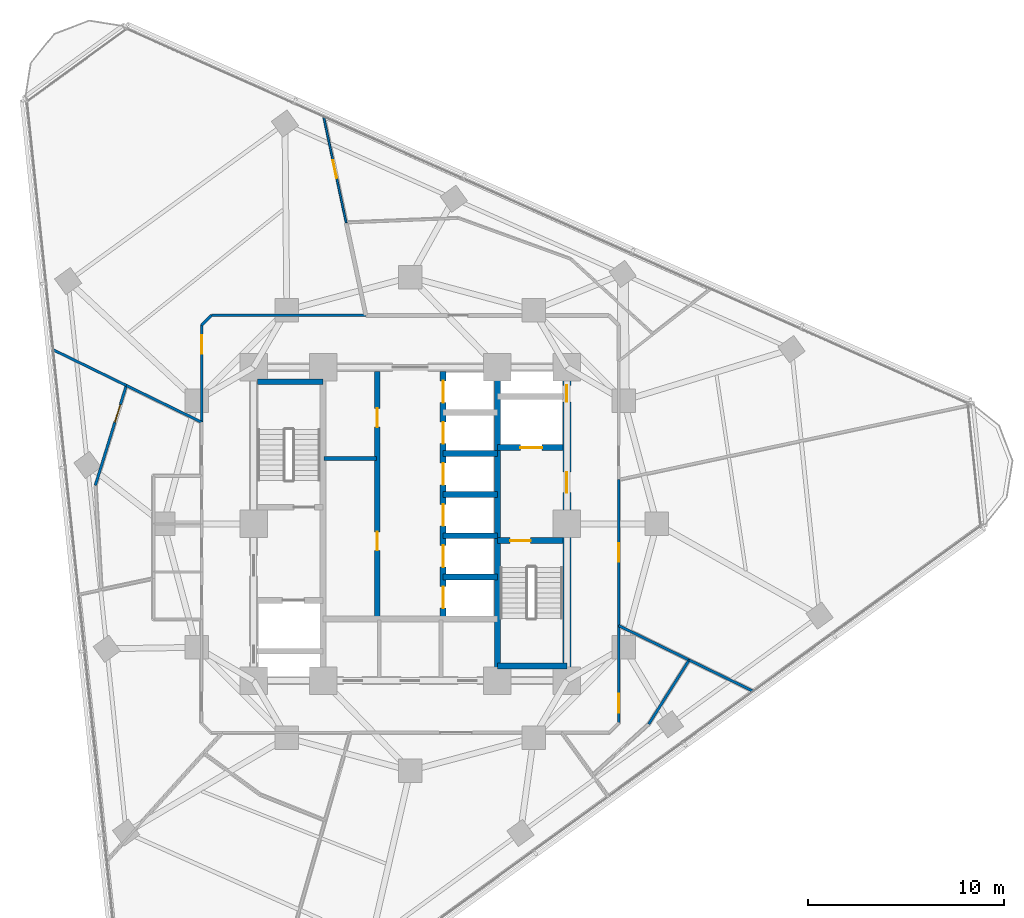
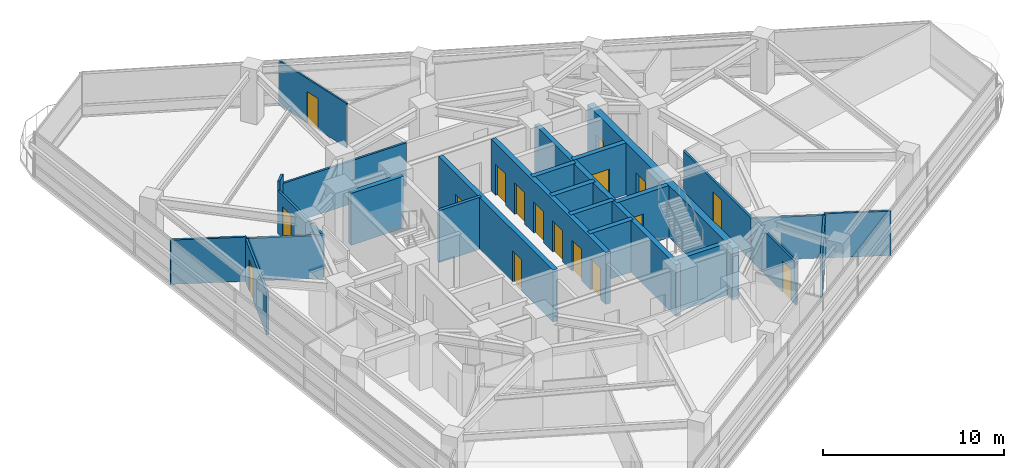
# One storey, part 9 of 14: 25 walls, 17 doors, 17 openings.
"""IFC4 building model written with IfcOpenShell, lengths in metres."""

from ifc_helpers import new_model, si_unit, direction, frame, frame_2d, origin, place, context, subcontext, project, spatial, rectangle, extrude, material, layer, layer_set, type_object, element, fill, save


model = new_model("IFC4")

# Units and contexts
model_context = context("Model", 3, precision=1e-05, world=origin(), true_north=direction((0.0, 1.0)))
body_context = subcontext(model_context, "Body", "Model", "MODEL_VIEW")
ifc_project = project(units=[si_unit("LENGTHUNIT", "METRE"), si_unit("AREAUNIT", "SQUARE_METRE"), si_unit("VOLUMEUNIT", "CUBIC_METRE"), si_unit("PLANEANGLEUNIT", "RADIAN"), si_unit("MASSUNIT", "GRAM", prefix="KILO")], contexts=[model_context])

# Site, building, storey
site_placement = place(None, origin())
site = spatial("IfcSite", under=ifc_project, at=site_placement, CompositionType="ELEMENT")
building_placement = place(site_placement, origin())
building = spatial("IfcBuilding", under=site, at=building_placement, Name="Terralouvre Media Tower", CompositionType="ELEMENT")
storey_placement = place(building_placement, frame((0.0, 0.0, 173.10009765625)))
storey = spatial("IfcBuildingStorey", under=building, at=storey_placement, Name="L44", CompositionType="ELEMENT", Elevation=173.10009765625)

# Walls
ifc_material_1 = material(Name="Concrete C50/60", Category="concrete")
ifc_layer_1 = layer(ifc_material_1, 0.300048828125, Name="Core Internal Shaft Wall CW-300")
ifc_layer_set_1 = layer_set([ifc_layer_1], Name="Concrete C50/60")
wall_type_1 = type_object("IfcWallType", Name="Core Internal Shaft Wall CW-300", PredefinedType="SHEAR", material=ifc_layer_set_1)
wall_1_placement = place(storey_placement, frame((4.449951171875, -7.7900390625, 0.0), z_axis=(0.0, 0.0, 1.0), x_axis=(0.0, 1.0, 0.0)))
element("IfcWall", 1, at=wall_1_placement, inside=storey, type_object=wall_type_1, Name="L44 Core Shaft Wall SPE", PredefinedType="SHEAR", context=body_context, shape_type="SweptSolid", body=[
    extrude(rectangle(XDim=15.580078125, YDim=0.300048828125, at=frame_2d((7.7900390625, 0.0))), origin(), (0.0, 0.0, 1.0), 3.5),
])
wall_2_placement = place(storey_placement, frame((-7.7900390625, 7.260009765625, 0.0), z_axis=(0.0, 0.0, 1.0), x_axis=(1.0, 0.0, 0.0)))
element("IfcWall", 2, at=wall_2_placement, inside=storey, type_object=wall_type_1, Name="L44 Core Shaft Wall ST1F", PredefinedType="SHEAR", context=body_context, shape_type="SweptSolid", body=[
    extrude(rectangle(XDim=3.340087890625, YDim=0.300048828125, at=frame_2d((1.669921875, 0.0))), origin(), (0.0, 0.0, 1.0), 3.5),
])

# Wall, opening, door
wall_3_placement = place(storey_placement, frame((4.449951171875, -0.85009765625, 0.0), z_axis=(0.0, 0.0, 1.0), x_axis=(1.0, 0.0, 0.0)))
wall_3 = element("IfcWall", 3, at=wall_3_placement, inside=storey, type_object=wall_type_1, Name="L44 Core Shaft Wall ST2D", PredefinedType="SHEAR", context=body_context, shape_type="SweptSolid", body=[
    extrude(rectangle(XDim=3.340087890625, YDim=0.300048828125, at=frame_2d((1.669921875, 0.0))), origin(), (0.0, 0.0, 1.0), 3.5),
])
opening_1_placement = place(wall_3_placement, frame((0.64990234375, 0.0, 0.0)))
opening_1 = element("IfcOpeningElement", 4, at=opening_1_placement, cuts=wall_3, Name="Opening FD-01-105X215", PredefinedType="OPENING", context=body_context, shape_type="SweptSolid", body=[
    extrude(rectangle(XDim=1.050048828125, YDim=2.14990234375, at=frame_2d((0.52490234375, 1.074951171875))), frame((0.0, 0.159912109375, 0.0), z_axis=(0.0, -1.0, 0.0), x_axis=(1.0, 0.0, 0.0)), (0.0, 0.0, 1.0), 0.320068359375),
])
ifc_material_2 = material(Name="Galvanised steel fire-resisting leaf", Category="steel")
door_type_1 = type_object("IfcDoorType", Name="Stair and Firefighting Lobby Fire Door FD-01 (1050x2150)", OperationType="NOTDEFINED", PredefinedType="DOOR", material=ifc_material_2)
door_1_placement = place(opening_1_placement, origin())
door_1 = element("IfcDoor", 5, at=door_1_placement, inside=storey, type_object=door_type_1, Name="L44 ST-02 Exit Stair Door", OperationType="SINGLE_SWING_RIGHT", OverallHeight=2.14990234375, OverallWidth=1.050048828125, PredefinedType="DOOR", context=body_context, shape_type="SweptSolid", body=[
    extrude(rectangle(XDim=1.050048828125, YDim=2.14990234375, at=frame_2d((0.52490234375, 1.074951171875))), frame((0.0, 0.02490234375, 0.0), z_axis=(0.0, -1.0, 0.0), x_axis=(1.0, 0.0, 0.0)), (0.0, 0.0, 1.0), 0.050048828125),
])
fill(opening_1, door_1)

# Wall
wall_4_placement = place(storey_placement, frame((4.449951171875, -7.260009765625, 0.0), z_axis=(0.0, 0.0, 1.0), x_axis=(1.0, 0.0, 0.0)))
element("IfcWall", 6, at=wall_4_placement, inside=storey, type_object=wall_type_1, Name="L44 Core Shaft Wall ST2F", PredefinedType="SHEAR", context=body_context, shape_type="SweptSolid", body=[
    extrude(rectangle(XDim=3.550048828125, YDim=0.300048828125, at=frame_2d((1.77490234375, 0.0))), origin(), (0.0, 0.0, 1.0), 3.5),
])

# Wall, opening, door
wall_5_placement = place(storey_placement, frame((4.449951171875, 3.89990234375, 0.0), z_axis=(0.0, 0.0, 1.0), x_axis=(1.0, 0.0, 0.0)))
wall_5 = element("IfcWall", 7, at=wall_5_placement, inside=storey, type_object=wall_type_1, Name="L44 Core Shaft Wall FF2S", PredefinedType="SHEAR", context=body_context, shape_type="SweptSolid", body=[
    extrude(rectangle(XDim=3.340087890625, YDim=0.300048828125, at=frame_2d((1.669921875, 0.0))), origin(), (0.0, 0.0, 1.0), 3.5),
])
opening_2_placement = place(wall_5_placement, frame((1.179931640625, 0.0, 0.0)))
opening_2 = element("IfcOpeningElement", 8, at=opening_2_placement, cuts=wall_5, Name="Opening LD-FF", PredefinedType="OPENING", context=body_context, shape_type="SweptSolid", body=[
    extrude(rectangle(XDim=1.10009765625, YDim=2.10009765625, at=frame_2d((0.550048828125, 1.050048828125))), frame((0.0, 0.159912109375, 0.0), z_axis=(0.0, -1.0, 0.0), x_axis=(1.0, 0.0, 0.0)), (0.0, 0.0, 1.0), 0.320068359375),
])
ifc_material_3 = material(Name="Stainless steel 316 handrail and balustrade", Category="steel")
door_type_2 = type_object("IfcDoorType", Name="Firefighting Lift Sliding Landing Door LD-FF", OperationType="SLIDING_TO_LEFT", PredefinedType="DOOR", material=ifc_material_3)
door_2_placement = place(opening_2_placement, origin())
door_2 = element("IfcDoor", 9, at=door_2_placement, inside=storey, type_object=door_type_2, Name="L44 Firefighting Lift FFL-02 Landing Door", OperationType="SLIDING_TO_LEFT", OverallHeight=2.10009765625, OverallWidth=1.10009765625, PredefinedType="DOOR", context=body_context, shape_type="SweptSolid", body=[
    extrude(rectangle(XDim=1.10009765625, YDim=2.10009765625, at=frame_2d((0.550048828125, 1.050048828125))), frame((0.0, 0.02490234375, 0.0), z_axis=(0.0, -1.0, 0.0), x_axis=(1.0, 0.0, 0.0)), (0.0, 0.0, 1.0), 0.050048828125),
])
fill(opening_2, door_2)

# Wall, openings, doors
wall_6_placement = place(storey_placement, frame((-1.679931640625, -4.85009765625, 0.0), z_axis=(0.0, 0.0, 1.0), x_axis=(0.0, 1.0, 0.0)))
wall_6 = element("IfcWall", 10, at=wall_6_placement, inside=storey, type_object=wall_type_1, Name="L44 Core Shaft Wall LBW", PredefinedType="SHEAR", context=body_context, shape_type="SweptSolid", body=[
    extrude(rectangle(XDim=12.64013671875, YDim=0.300048828125, at=frame_2d((6.320068359375, 0.0))), origin(), (0.0, 0.0, 1.0), 3.5),
])
opening_3_placement = place(wall_6_placement, frame((3.5, 0.0, 0.0)))
opening_3 = element("IfcOpeningElement", 11, at=opening_3_placement, cuts=wall_6, Name="Opening FD-04-95X210", PredefinedType="OPENING", context=body_context, shape_type="SweptSolid", body=[
    extrude(rectangle(XDim=0.949951171875, YDim=2.10009765625, at=frame_2d((0.47509765625, 1.050048828125))), frame((0.0, 0.159912109375, 0.0), z_axis=(0.0, -1.0, 0.0), x_axis=(1.0, 0.0, 0.0)), (0.0, 0.0, 1.0), 0.320068359375),
])
opening_4_placement = place(wall_6_placement, frame((9.800048828125, 0.0, 0.0)))
opening_4 = element("IfcOpeningElement", 12, at=opening_4_placement, cuts=wall_6, Name="Opening FD-02-95X210", PredefinedType="OPENING", context=body_context, shape_type="SweptSolid", body=[
    extrude(rectangle(XDim=0.949951171875, YDim=2.10009765625, at=frame_2d((0.47509765625, 1.050048828125))), frame((0.0, 0.159912109375, 0.0), z_axis=(0.0, -1.0, 0.0), x_axis=(1.0, 0.0, 0.0)), (0.0, 0.0, 1.0), 0.320068359375),
])
ifc_material_4 = material(Name="Galvanised steel fire-resisting leaf", Category="steel")
door_type_3 = type_object("IfcDoorType", Name="Core Store and Service Fire Door FD-04 (950x2100)", OperationType="NOTDEFINED", PredefinedType="DOOR", material=ifc_material_4)
door_3_placement = place(opening_3_placement, origin())
door_3 = element("IfcDoor", 13, at=door_3_placement, inside=storey, type_object=door_type_3, Name="L44 Core Archive Store Door", OperationType="SINGLE_SWING_LEFT", OverallHeight=2.10009765625, OverallWidth=0.949951171875, PredefinedType="DOOR", context=body_context, shape_type="SweptSolid", body=[
    extrude(rectangle(XDim=0.949951171875, YDim=2.10009765625, at=frame_2d((0.47509765625, 1.050048828125))), frame((0.0, 0.02490234375, 0.0), z_axis=(0.0, -1.0, 0.0), x_axis=(1.0, 0.0, 0.0)), (0.0, 0.0, 1.0), 0.050048828125),
])
fill(opening_3, door_3)
ifc_material_5 = material(Name="Galvanised steel fire-resisting leaf", Category="steel")
door_type_4 = type_object("IfcDoorType", Name="Plant and Riser Fire Door FD-02 (950x2100)", OperationType="NOTDEFINED", PredefinedType="DOOR", material=ifc_material_5)
door_4_placement = place(opening_4_placement, origin())
door_4 = element("IfcDoor", 14, at=door_4_placement, inside=storey, type_object=door_type_4, Name="L44 Core AV Repeater Plant Door", OperationType="SINGLE_SWING_RIGHT", OverallHeight=2.10009765625, OverallWidth=0.949951171875, PredefinedType="DOOR", context=body_context, shape_type="SweptSolid", body=[
    extrude(rectangle(XDim=0.949951171875, YDim=2.10009765625, at=frame_2d((0.47509765625, 1.050048828125))), frame((0.0, 0.02490234375, 0.0), z_axis=(0.0, -1.0, 0.0), x_axis=(1.0, 0.0, 0.0)), (0.0, 0.0, 1.0), 0.050048828125),
])
fill(opening_4, door_4)

wall_7_placement = place(storey_placement, frame((1.679931640625, -4.85009765625, 0.0), z_axis=(0.0, 0.0, 1.0), x_axis=(0.0, 1.0, 0.0)))
wall_7 = element("IfcWall", 15, at=wall_7_placement, inside=storey, type_object=wall_type_1, Name="L44 Core Shaft Wall LBE", PredefinedType="SHEAR", context=body_context, shape_type="SweptSolid", body=[
    extrude(rectangle(XDim=12.64013671875, YDim=0.300048828125, at=frame_2d((6.320068359375, 0.0))), origin(), (0.0, 0.0, 1.0), 3.5),
])
opening_5_placement = place(wall_7_placement, frame((0.550048828125, 0.0, 0.0)))
opening_5 = element("IfcOpeningElement", 16, at=opening_5_placement, cuts=wall_7, Name="Opening LD-PL", PredefinedType="OPENING", context=body_context, shape_type="SweptSolid", body=[
    extrude(rectangle(XDim=1.10009765625, YDim=2.10009765625, at=frame_2d((0.550048828125, 1.050048828125))), frame((0.0, 0.159912109375, 0.0), z_axis=(0.0, -1.0, 0.0), x_axis=(1.0, 0.0, 0.0)), (0.0, 0.0, 1.0), 0.320068359375),
])
opening_6_placement = place(wall_7_placement, frame((2.64990234375, 0.0, 0.0)))
opening_6 = element("IfcOpeningElement", 17, at=opening_6_placement, cuts=wall_7, Name="Opening LD-PL", PredefinedType="OPENING", context=body_context, shape_type="SweptSolid", body=[
    extrude(rectangle(XDim=1.10009765625, YDim=2.10009765625, at=frame_2d((0.550048828125, 1.050048828125))), frame((0.0, 0.159912109375, 0.0), z_axis=(0.0, -1.0, 0.0), x_axis=(1.0, 0.0, 0.0)), (0.0, 0.0, 1.0), 0.320068359375),
])
opening_7_placement = place(wall_7_placement, frame((4.75, 0.0, 0.0)))
opening_7 = element("IfcOpeningElement", 18, at=opening_7_placement, cuts=wall_7, Name="Opening LD-PL", PredefinedType="OPENING", context=body_context, shape_type="SweptSolid", body=[
    extrude(rectangle(XDim=1.10009765625, YDim=2.10009765625, at=frame_2d((0.550048828125, 1.050048828125))), frame((0.0, 0.159912109375, 0.0), z_axis=(0.0, -1.0, 0.0), x_axis=(1.0, 0.0, 0.0)), (0.0, 0.0, 1.0), 0.320068359375),
])
opening_8_placement = place(wall_7_placement, frame((6.85009765625, 0.0, 0.0)))
opening_8 = element("IfcOpeningElement", 19, at=opening_8_placement, cuts=wall_7, Name="Opening LD-PL", PredefinedType="OPENING", context=body_context, shape_type="SweptSolid", body=[
    extrude(rectangle(XDim=1.10009765625, YDim=2.10009765625, at=frame_2d((0.550048828125, 1.050048828125))), frame((0.0, 0.159912109375, 0.0), z_axis=(0.0, -1.0, 0.0), x_axis=(1.0, 0.0, 0.0)), (0.0, 0.0, 1.0), 0.320068359375),
])
opening_9_placement = place(wall_7_placement, frame((8.949951171875, 0.0, 0.0)))
opening_9 = element("IfcOpeningElement", 20, at=opening_9_placement, cuts=wall_7, Name="Opening LD-PL", PredefinedType="OPENING", context=body_context, shape_type="SweptSolid", body=[
    extrude(rectangle(XDim=1.10009765625, YDim=2.10009765625, at=frame_2d((0.550048828125, 1.050048828125))), frame((0.0, 0.159912109375, 0.0), z_axis=(0.0, -1.0, 0.0), x_axis=(1.0, 0.0, 0.0)), (0.0, 0.0, 1.0), 0.320068359375),
])
opening_10_placement = place(wall_7_placement, frame((11.050048828125, 0.0, 0.0)))
opening_10 = element("IfcOpeningElement", 21, at=opening_10_placement, cuts=wall_7, Name="Opening LD-PL", PredefinedType="OPENING", context=body_context, shape_type="SweptSolid", body=[
    extrude(rectangle(XDim=1.10009765625, YDim=2.10009765625, at=frame_2d((0.550048828125, 1.050048828125))), frame((0.0, 0.159912109375, 0.0), z_axis=(0.0, -1.0, 0.0), x_axis=(1.0, 0.0, 0.0)), (0.0, 0.0, 1.0), 0.320068359375),
])
ifc_material_6 = material(Name="Stainless steel 316 handrail and balustrade", Category="steel")
door_type_5 = type_object("IfcDoorType", Name="Passenger Lift Sliding Landing Door LD-PL", OperationType="SLIDING_TO_LEFT", PredefinedType="DOOR", material=ifc_material_6)
door_5_placement = place(opening_5_placement, origin())
door_5 = element("IfcDoor", 22, at=door_5_placement, inside=storey, type_object=door_type_5, Name="L44 High-Rise Lift PL-H1 Landing Door", OperationType="SLIDING_TO_LEFT", OverallHeight=2.10009765625, OverallWidth=1.10009765625, PredefinedType="DOOR", context=body_context, shape_type="SweptSolid", body=[
    extrude(rectangle(XDim=1.10009765625, YDim=2.10009765625, at=frame_2d((0.550048828125, 1.050048828125))), frame((0.0, 0.02490234375, 0.0), z_axis=(0.0, -1.0, 0.0), x_axis=(1.0, 0.0, 0.0)), (0.0, 0.0, 1.0), 0.050048828125),
])
fill(opening_5, door_5)
door_6_placement = place(opening_6_placement, origin())
door_6 = element("IfcDoor", 23, at=door_6_placement, inside=storey, type_object=door_type_5, Name="L44 High-Rise Lift PL-H2 Landing Door", OperationType="SLIDING_TO_LEFT", OverallHeight=2.10009765625, OverallWidth=1.10009765625, PredefinedType="DOOR", context=body_context, shape_type="SweptSolid", body=[
    extrude(rectangle(XDim=1.10009765625, YDim=2.10009765625, at=frame_2d((0.550048828125, 1.050048828125))), frame((0.0, 0.02490234375, 0.0), z_axis=(0.0, -1.0, 0.0), x_axis=(1.0, 0.0, 0.0)), (0.0, 0.0, 1.0), 0.050048828125),
])
fill(opening_6, door_6)
door_7_placement = place(opening_7_placement, origin())
door_7 = element("IfcDoor", 24, at=door_7_placement, inside=storey, type_object=door_type_5, Name="L44 High-Rise Lift PL-H3 Landing Door", OperationType="SLIDING_TO_LEFT", OverallHeight=2.10009765625, OverallWidth=1.10009765625, PredefinedType="DOOR", context=body_context, shape_type="SweptSolid", body=[
    extrude(rectangle(XDim=1.10009765625, YDim=2.10009765625, at=frame_2d((0.550048828125, 1.050048828125))), frame((0.0, 0.02490234375, 0.0), z_axis=(0.0, -1.0, 0.0), x_axis=(1.0, 0.0, 0.0)), (0.0, 0.0, 1.0), 0.050048828125),
])
fill(opening_7, door_7)
door_8_placement = place(opening_8_placement, origin())
door_8 = element("IfcDoor", 25, at=door_8_placement, inside=storey, type_object=door_type_5, Name="L44 Mid-Rise Lift PL-M1 Landing Door", OperationType="SLIDING_TO_LEFT", OverallHeight=2.10009765625, OverallWidth=1.10009765625, PredefinedType="DOOR", context=body_context, shape_type="SweptSolid", body=[
    extrude(rectangle(XDim=1.10009765625, YDim=2.10009765625, at=frame_2d((0.550048828125, 1.050048828125))), frame((0.0, 0.02490234375, 0.0), z_axis=(0.0, -1.0, 0.0), x_axis=(1.0, 0.0, 0.0)), (0.0, 0.0, 1.0), 0.050048828125),
])
fill(opening_8, door_8)
door_9_placement = place(opening_9_placement, origin())
door_9 = element("IfcDoor", 26, at=door_9_placement, inside=storey, type_object=door_type_5, Name="L44 Mid-Rise Lift PL-M2 Landing Door", OperationType="SLIDING_TO_LEFT", OverallHeight=2.10009765625, OverallWidth=1.10009765625, PredefinedType="DOOR", context=body_context, shape_type="SweptSolid", body=[
    extrude(rectangle(XDim=1.10009765625, YDim=2.10009765625, at=frame_2d((0.550048828125, 1.050048828125))), frame((0.0, 0.02490234375, 0.0), z_axis=(0.0, -1.0, 0.0), x_axis=(1.0, 0.0, 0.0)), (0.0, 0.0, 1.0), 0.050048828125),
])
fill(opening_9, door_9)
door_10_placement = place(opening_10_placement, origin())
door_10 = element("IfcDoor", 27, at=door_10_placement, inside=storey, type_object=door_type_5, Name="L44 Mid-Rise Lift PL-M3 Landing Door", OperationType="SLIDING_TO_LEFT", OverallHeight=2.10009765625, OverallWidth=1.10009765625, PredefinedType="DOOR", context=body_context, shape_type="SweptSolid", body=[
    extrude(rectangle(XDim=1.10009765625, YDim=2.10009765625, at=frame_2d((0.550048828125, 1.050048828125))), frame((0.0, 0.02490234375, 0.0), z_axis=(0.0, -1.0, 0.0), x_axis=(1.0, 0.0, 0.0)), (0.0, 0.0, 1.0), 0.050048828125),
])
fill(opening_10, door_10)

# Walls
for number, where, z_axis, x_axis, name in (
    (28, (1.679931640625, 1.5, 0.0), (0.0, 0.0, 1.0), (1.0, 0.0, 0.0), "L44 Core Shaft Wall PLMD0"),
    (29, (1.679931640625, 3.60009765625, 0.0), (0.0, 0.0, 1.0), (1.0, 0.0, 0.0), "L44 Core Shaft Wall PLMD1"),
    (30, (1.679931640625, -2.699951171875, 0.0), (0.0, 0.0, 1.0), (1.0, 0.0, 0.0), "L44 Core Shaft Wall PLHD1"),
    (31, (1.679931640625, -0.60009765625, 0.0), (0.0, 0.0, 1.0), (1.0, 0.0, 0.0), "L44 Core Shaft Wall PLHD2"),
):
    element("IfcWall", number, at=place(storey_placement, frame(where, z_axis=z_axis, x_axis=x_axis)), inside=storey, type_object=wall_type_1, Name=name, PredefinedType="SHEAR", context=body_context, shape_type="SweptSolid", body=[
        extrude(rectangle(XDim=2.77001953125, YDim=0.300048828125, at=frame_2d((1.385009765625, 0.0))), origin(), (0.0, 0.0, 1.0), 3.5),
    ])

# Wall, openings, doors
ifc_material_7 = material(Name="Concrete C60/75", Category="concrete")
ifc_layer_2 = layer(ifc_material_7, 0.419921875, Name="Core Reinforced Concrete Shear Wall CW-420")
ifc_layer_set_2 = layer_set([ifc_layer_2], Name="Concrete C60/75")
wall_type_2 = type_object("IfcWallType", Name="Core Reinforced Concrete Shear Wall CW-420", PredefinedType="SHEAR", material=ifc_layer_set_2)
wall_8_placement = place(storey_placement, frame((8.0, -8.0, 0.0), z_axis=(0.0, 0.0, 1.0), x_axis=(0.0, 1.0, 0.0)))
wall_8 = element("IfcWall", 32, at=wall_8_placement, inside=storey, type_object=wall_type_2, Name="L44 E Core Shear Wall", PredefinedType="SHEAR", context=body_context, shape_type="SweptSolid", body=[
    extrude(rectangle(XDim=16.0, YDim=0.419921875, at=frame_2d((8.0, 0.0))), origin(), (0.0, 0.0, 1.0), 3.5),
])
opening_11_placement = place(wall_8_placement, frame((9.60009765625, 0.0, 0.0)))
opening_11 = element("IfcOpeningElement", 33, at=opening_11_placement, cuts=wall_8, Name="Opening FD-01-105X215", PredefinedType="OPENING", context=body_context, shape_type="SweptSolid", body=[
    extrude(rectangle(XDim=1.050048828125, YDim=2.14990234375, at=frame_2d((0.52490234375, 1.074951171875))), frame((0.0, 0.219970703125, 0.0), z_axis=(0.0, -1.0, 0.0), x_axis=(1.0, 0.0, 0.0)), (0.0, 0.0, 1.0), 0.43994140625),
])
opening_12_placement = place(wall_8_placement, frame((14.228515625, 0.0, 0.0)))
opening_12 = element("IfcOpeningElement", 34, at=opening_12_placement, cuts=wall_8, Name="Opening TD-R1", PredefinedType="OPENING", context=body_context, shape_type="SweptSolid", body=[
    extrude(rectangle(XDim=0.85009765625, YDim=2.02001953125, at=frame_2d((0.425048828125, 1.010009765625))), frame((0.0, 0.219970703125, 0.0), z_axis=(0.0, -1.0, 0.0), x_axis=(1.0, 0.0, 0.0)), (0.0, 0.0, 1.0), 0.43994140625),
])
ifc_material_8 = material(Name="Galvanised steel fire-resisting leaf", Category="steel")
door_type_6 = type_object("IfcDoorType", Name="Riser Inspection Access Trapdoor TD-R1", OperationType="NOTDEFINED", PredefinedType="TRAPDOOR", material=ifc_material_8)
door_11_placement = place(opening_12_placement, origin())
door_11 = element("IfcDoor", 35, at=door_11_placement, inside=storey, type_object=door_type_6, Name="L44 East Comms Riser Access Trapdoor", OperationType="SINGLE_SWING_RIGHT", OverallHeight=2.02001953125, OverallWidth=0.85009765625, PredefinedType="TRAPDOOR", context=body_context, shape_type="SweptSolid", body=[
    extrude(rectangle(XDim=0.85009765625, YDim=2.02001953125, at=frame_2d((0.425048828125, 1.010009765625))), frame((0.0, 0.02490234375, 0.0), z_axis=(0.0, -1.0, 0.0), x_axis=(1.0, 0.0, 0.0)), (0.0, 0.0, 1.0), 0.050048828125),
])
fill(opening_12, door_11)
door_12_placement = place(opening_11_placement, origin())
door_12 = element("IfcDoor", 36, at=door_12_placement, inside=storey, type_object=door_type_1, Name="L44 East Firefighting Lobby Entry Door", OperationType="SINGLE_SWING_LEFT", OverallHeight=2.14990234375, OverallWidth=1.050048828125, PredefinedType="DOOR", context=body_context, shape_type="SweptSolid", body=[
    extrude(rectangle(XDim=1.050048828125, YDim=2.14990234375, at=frame_2d((0.52490234375, 1.074951171875))), frame((0.0, 0.02490234375, 0.0), z_axis=(0.0, -1.0, 0.0), x_axis=(1.0, 0.0, 0.0)), (0.0, 0.0, 1.0), 0.050048828125),
])
fill(opening_11, door_12)

# Wall, opening, door
ifc_material_9 = material(Name="Low-iron laminated double glazing with solar-control coating", Category="glass")
ifc_layer_3 = layer(ifc_material_9, 0.10009765625, Name="Demountable Glazed Office Partition PT-GL100")
ifc_layer_set_3 = layer_set([ifc_layer_3], Name="Low-iron laminated double glazing with solar-control coating")
wall_type_3 = type_object("IfcWallType", Name="Demountable Glazed Office Partition PT-GL100", PredefinedType="MOVABLE", material=ifc_layer_set_3)
wall_9_placement = place(storey_placement, frame((-4.432373046875, 20.850830078125, 0.0), z_axis=(0.0, 0.0, 1.0), x_axis=(0.208032106743, -0.978121997792, 0.0)))
wall_9 = element("IfcWall", 37, at=wall_9_placement, inside=storey, type_object=wall_type_3, Name="L44 Interior Partition 047", PredefinedType="MOVABLE", context=body_context, shape_type="SweptSolid", body=[
    extrude(rectangle(XDim=5.592041015625, YDim=0.10009765625, at=frame_2d((2.7958984375, 0.0))), origin(), (0.0, 0.0, 1.0), 2.98486328125),
])
opening_13_placement = place(wall_9_placement, frame((2.336181640625, 0.0, 0.0)))
opening_13 = element("IfcOpeningElement", 38, at=opening_13_placement, cuts=wall_9, Name="Opening ID-03-92X210", PredefinedType="OPENING", context=body_context, shape_type="SweptSolid", body=[
    extrude(rectangle(XDim=0.919921875, YDim=2.10009765625, at=frame_2d((0.4599609375, 1.050048828125))), frame((0.0, 0.06005859375, 0.0), z_axis=(0.0, -1.0, 0.0), x_axis=(1.0, 0.0, 0.0)), (0.0, 0.0, 1.0), 0.1201171875),
])
ifc_material_10 = material(Name="Engineered hardwood acoustic timber leaf", Category="wood")
door_type_7 = type_object("IfcDoorType", Name="Accessible Restroom and Suite Door ID-03 (920x2100)", OperationType="NOTDEFINED", PredefinedType="DOOR", material=ifc_material_10)
door_13_placement = place(opening_13_placement, origin())
door_13 = element("IfcDoor", 39, at=door_13_placement, inside=storey, type_object=door_type_7, Name="L44 Student Project Breakout Room 9 Door", OperationType="SINGLE_SWING_RIGHT", OverallHeight=2.10009765625, OverallWidth=0.919921875, PredefinedType="DOOR", context=body_context, shape_type="SweptSolid", body=[
    extrude(rectangle(XDim=0.919921875, YDim=2.10009765625, at=frame_2d((0.4599609375, 1.050048828125))), frame((0.0, 0.02490234375, 0.0), z_axis=(0.0, -1.0, 0.0), x_axis=(1.0, 0.0, 0.0)), (0.0, 0.0, 1.0), 0.050048828125),
])
fill(opening_13, door_13)

# Wall
ifc_material_11 = material(Name="Fire-rated gypsum board drywall partition")
ifc_layer_4 = layer(ifc_material_11, 0.199951171875, Name="Fire-Rated Shaft and Lobby Partition FW-200")
ifc_layer_set_4 = layer_set([ifc_layer_4], Name="Fire-rated gypsum board drywall partition")
wall_type_4 = type_object("IfcWallType", Name="Fire-Rated Shaft and Lobby Partition FW-200", PredefinedType="SOLIDWALL", material=ifc_layer_set_4)
wall_10_placement = place(storey_placement, frame((-4.39990234375, 3.340087890625, 0.0), z_axis=(0.0, 0.0, 1.0), x_axis=(1.0, 0.0, 0.0)))
element("IfcWall", 40, at=wall_10_placement, inside=storey, type_object=wall_type_4, Name="L44 Core West Sub-Partition 1", PredefinedType="SOLIDWALL", context=body_context, shape_type="SweptSolid", body=[
    extrude(rectangle(XDim=2.679931640625, YDim=0.199951171875, at=frame_2d((1.33984375, 0.0))), origin(), (0.0, 0.0, 1.0), 3.5),
])

# Wall, opening, door
ifc_material_12 = material(Name="Fire-rated gypsum board drywall partition")
ifc_layer_5 = layer(ifc_material_12, 0.135009765625, Name="Newsroom Acoustic Partition PT-135")
ifc_layer_set_5 = layer_set([ifc_layer_5], Name="Fire-rated gypsum board drywall partition")
wall_type_5 = type_object("IfcWallType", Name="Newsroom Acoustic Partition PT-135", PredefinedType="PARTITIONING", material=ifc_layer_set_5)
wall_11_placement = place(storey_placement, frame((10.64990234375, -10.14990234375, 0.0), z_axis=(0.0, 0.0, 1.0), x_axis=(0.0, 1.0, 0.0)))
wall_11 = element("IfcWall", 41, at=wall_11_placement, inside=storey, type_object=wall_type_5, Name="L44 Interior Partition 010", PredefinedType="PARTITIONING", context=body_context, shape_type="SweptSolid", body=[
    extrude(rectangle(XDim=4.955810546875, YDim=0.135009765625, at=frame_2d((2.47802734375, 0.0))), origin(), (0.0, 0.0, 1.0), 2.885009765625),
])
opening_14_placement = place(wall_11_placement, frame((0.51611328125, 0.0, 0.0)))
opening_14 = element("IfcOpeningElement", 42, at=opening_14_placement, cuts=wall_11, Name="Opening ID-02-95X210", PredefinedType="OPENING", context=body_context, shape_type="SweptSolid", body=[
    extrude(rectangle(XDim=0.949951171875, YDim=2.10009765625, at=frame_2d((0.47509765625, 1.050048828125))), frame((0.0, 0.077392578125, 0.0), z_axis=(0.0, -1.0, 0.0), x_axis=(1.0, 0.0, 0.0)), (0.0, 0.0, 1.0), 0.155029296875),
])
ifc_material_13 = material(Name="Engineered hardwood acoustic timber leaf", Category="wood")
door_type_8 = type_object("IfcDoorType", Name="Office and Meeting Room Door ID-02 (950x2100)", OperationType="NOTDEFINED", PredefinedType="DOOR", material=ifc_material_13)
door_14_placement = place(opening_14_placement, origin())
door_14 = element("IfcDoor", 43, at=door_14_placement, inside=storey, type_object=door_type_8, Name="L44 Media Reference Library 5 Door", OperationType="SINGLE_SWING_RIGHT", OverallHeight=2.10009765625, OverallWidth=0.949951171875, PredefinedType="DOOR", context=body_context, shape_type="SweptSolid", body=[
    extrude(rectangle(XDim=0.949951171875, YDim=2.10009765625, at=frame_2d((0.47509765625, 1.050048828125))), frame((0.0, 0.02490234375, 0.0), z_axis=(0.0, -1.0, 0.0), x_axis=(1.0, 0.0, 0.0)), (0.0, 0.0, 1.0), 0.050048828125),
])
fill(opening_14, door_14)

wall_12_placement = place(storey_placement, frame((10.64990234375, -5.194091796875, 0.0), z_axis=(0.0, 0.0, 1.0), x_axis=(0.0, 1.0, 0.0)))
wall_12 = element("IfcWall", 44, at=wall_12_placement, inside=storey, type_object=wall_type_5, Name="L44 Interior Partition 011", PredefinedType="PARTITIONING", context=body_context, shape_type="SweptSolid", body=[
    extrude(rectangle(XDim=7.4580078125, YDim=0.135009765625, at=frame_2d((3.72900390625, 0.0))), origin(), (0.0, 0.0, 1.0), 2.885009765625),
])
opening_15_placement = place(wall_12_placement, frame((3.25390625, 0.0, 0.0)))
opening_15 = element("IfcOpeningElement", 45, at=opening_15_placement, cuts=wall_12, Name="Opening ID-02-95X210", PredefinedType="OPENING", context=body_context, shape_type="SweptSolid", body=[
    extrude(rectangle(XDim=0.949951171875, YDim=2.10009765625, at=frame_2d((0.47509765625, 1.050048828125))), frame((0.0, 0.077392578125, 0.0), z_axis=(0.0, -1.0, 0.0), x_axis=(1.0, 0.0, 0.0)), (0.0, 0.0, 1.0), 0.155029296875),
])
door_15_placement = place(opening_15_placement, origin())
door_15 = element("IfcDoor", 46, at=door_15_placement, inside=storey, type_object=door_type_8, Name="L44 Faculty Consultation Office 7 Door", OperationType="SINGLE_SWING_LEFT", OverallHeight=2.10009765625, OverallWidth=0.949951171875, PredefinedType="DOOR", context=body_context, shape_type="SweptSolid", body=[
    extrude(rectangle(XDim=0.949951171875, YDim=2.10009765625, at=frame_2d((0.47509765625, 1.050048828125))), frame((0.0, 0.02490234375, 0.0), z_axis=(0.0, -1.0, 0.0), x_axis=(1.0, 0.0, 0.0)), (0.0, 0.0, 1.0), 0.050048828125),
])
fill(opening_15, door_15)

# Walls
wall_13_placement = place(storey_placement, frame((-2.263916015625, 10.64990234375, 0.0), z_axis=(0.0, 0.0, 1.0), x_axis=(-1.0, 0.0, 0.0)))
element("IfcWall", 47, at=wall_13_placement, inside=storey, type_object=wall_type_5, Name="L44 Interior Partition 016", PredefinedType="PARTITIONING", context=body_context, shape_type="SweptSolid", body=[
    extrude(rectangle(XDim=7.885986328125, YDim=0.135009765625, at=frame_2d((3.94287109375, 0.0))), origin(), (0.0, 0.0, 1.0), 2.885009765625),
])
wall_14_placement = place(storey_placement, frame((-10.14990234375, 10.64990234375, 0.0), z_axis=(0.0, 0.0, 1.0), x_axis=(-0.707106781187, -0.707106781187, 0.0)))
element("IfcWall", 48, at=wall_14_placement, inside=storey, type_object=wall_type_5, Name="L44 Interior Partition 017", PredefinedType="PARTITIONING", context=body_context, shape_type="SweptSolid", body=[
    extrude(rectangle(XDim=0.70703125, YDim=0.135009765625, at=frame_2d((0.353515625, 0.0))), origin(), (0.0, 0.0, 1.0), 3.5),
])

# Wall, opening, door
wall_15_placement = place(storey_placement, frame((-10.64990234375, 10.14990234375, 0.0), z_axis=(0.0, 0.0, 1.0), x_axis=(0.0, -1.0, 0.0)))
wall_15 = element("IfcWall", 49, at=wall_15_placement, inside=storey, type_object=wall_type_5, Name="L44 Interior Partition 018", PredefinedType="PARTITIONING", context=body_context, shape_type="SweptSolid", body=[
    extrude(rectangle(XDim=4.955810546875, YDim=0.135009765625, at=frame_2d((2.47802734375, 0.0))), origin(), (0.0, 0.0, 1.0), 2.885009765625),
])
opening_16_placement = place(wall_15_placement, frame((0.51611328125, 0.0, 0.0)))
opening_16 = element("IfcOpeningElement", 50, at=opening_16_placement, cuts=wall_15, Name="Opening ID-02-95X210", PredefinedType="OPENING", context=body_context, shape_type="SweptSolid", body=[
    extrude(rectangle(XDim=0.949951171875, YDim=2.10009765625, at=frame_2d((0.47509765625, 1.050048828125))), frame((0.0, 0.077392578125, 0.0), z_axis=(0.0, -1.0, 0.0), x_axis=(1.0, 0.0, 0.0)), (0.0, 0.0, 1.0), 0.155029296875),
])
door_16_placement = place(opening_16_placement, origin())
door_16 = element("IfcDoor", 51, at=door_16_placement, inside=storey, type_object=door_type_8, Name="L44 Curriculum Archive Storage 11 Door", OperationType="SINGLE_SWING_RIGHT", OverallHeight=2.10009765625, OverallWidth=0.949951171875, PredefinedType="DOOR", context=body_context, shape_type="SweptSolid", body=[
    extrude(rectangle(XDim=0.949951171875, YDim=2.10009765625, at=frame_2d((0.47509765625, 1.050048828125))), frame((0.0, 0.02490234375, 0.0), z_axis=(0.0, -1.0, 0.0), x_axis=(1.0, 0.0, 0.0)), (0.0, 0.0, 1.0), 0.050048828125),
])
fill(opening_16, door_16)

# Walls
wall_16_placement = place(storey_placement, frame((12.179931640625, -10.219970703125, 0.0), z_axis=(0.0, 0.0, 1.0), x_axis=(0.533748447558, 0.845643302302, 0.0)))
element("IfcWall", 52, at=wall_16_placement, inside=storey, type_object=wall_type_5, Name="L44 Interior Partition 038", PredefinedType="PARTITIONING", context=body_context, shape_type="SweptSolid", body=[
    extrude(rectangle(XDim=3.869140625, YDim=0.135009765625, at=frame_2d((1.9345703125, 0.0))), origin(), (0.0, 0.0, 1.0), 2.885009765625),
])
wall_17_placement = place(storey_placement, frame((14.2451171875, -6.947998046875, 0.0), z_axis=(0.0, 0.0, 1.0), x_axis=(-0.898754367686, 0.43845249066, 0.0)))
element("IfcWall", 53, at=wall_17_placement, inside=storey, type_object=wall_type_5, Name="L44 Interior Partition 039", PredefinedType="PARTITIONING", context=body_context, shape_type="SweptSolid", body=[
    extrude(rectangle(XDim=4.000244140625, YDim=0.135009765625, at=frame_2d((2.0, 0.0))), origin(), (0.0, 0.0, 1.0), 2.885009765625),
])
wall_18_placement = place(storey_placement, frame((17.55517578125, -8.56201171875, 0.0), z_axis=(0.0, 0.0, 1.0), x_axis=(-0.898837884032, 0.438281254708, 0.0)))
element("IfcWall", 54, at=wall_18_placement, inside=storey, type_object=wall_type_5, Name="L44 Interior Partition 040", PredefinedType="PARTITIONING", context=body_context, shape_type="SweptSolid", body=[
    extrude(rectangle(XDim=3.6826171875, YDim=0.135009765625, at=frame_2d((1.84130859375, 0.0))), origin(), (0.0, 0.0, 1.0), 2.98486328125),
])
wall_19_placement = place(storey_placement, frame((-18.27734375, 8.914794921875, 0.0), z_axis=(0.0, 0.0, 1.0), x_axis=(0.898795221882, -0.43836873648, 0.0)))
element("IfcWall", 55, at=wall_19_placement, inside=storey, type_object=wall_type_5, Name="L44 Interior Partition 049", PredefinedType="PARTITIONING", context=body_context, shape_type="SweptSolid", body=[
    extrude(rectangle(XDim=4.2060546875, YDim=0.135009765625, at=frame_2d((2.10302734375, 0.0))), origin(), (0.0, 0.0, 1.0), 2.98486328125),
])
wall_20_placement = place(storey_placement, frame((-14.4970703125, 7.071044921875, 0.0), z_axis=(0.0, 0.0, 1.0), x_axis=(0.89874213328, -0.438477568261, 0.0)))
element("IfcWall", 56, at=wall_20_placement, inside=storey, type_object=wall_type_5, Name="L44 Interior Partition 050", PredefinedType="PARTITIONING", context=body_context, shape_type="SweptSolid", body=[
    extrude(rectangle(XDim=4.280517578125, YDim=0.135009765625, at=frame_2d((2.14013671875, 0.0))), origin(), (0.0, 0.0, 1.0), 2.885009765625),
])

# Wall, opening, door
wall_21_placement = place(storey_placement, frame((-16.0791015625, 1.97412109375, 0.0), z_axis=(0.0, 0.0, 1.0), x_axis=(0.296438064518, 0.955052079158, 0.0)))
wall_21 = element("IfcWall", 57, at=wall_21_placement, inside=storey, type_object=wall_type_5, Name="L44 Interior Partition 052", PredefinedType="PARTITIONING", context=body_context, shape_type="SweptSolid", body=[
    extrude(rectangle(XDim=5.3369140625, YDim=0.135009765625, at=frame_2d((2.66845703125, 0.0))), origin(), (0.0, 0.0, 1.0), 2.885009765625),
])
opening_17_placement = place(wall_21_placement, frame((3.382568359375, 0.0, 0.0)))
opening_17 = element("IfcOpeningElement", 58, at=opening_17_placement, cuts=wall_21, Name="Opening ID-03-92X210", PredefinedType="OPENING", context=body_context, shape_type="SweptSolid", body=[
    extrude(rectangle(XDim=0.919921875, YDim=2.10009765625, at=frame_2d((0.4599609375, 1.050048828125))), frame((0.0, 0.077392578125, 0.0), z_axis=(0.0, -1.0, 0.0), x_axis=(1.0, 0.0, 0.0)), (0.0, 0.0, 1.0), 0.155029296875),
])
door_17_placement = place(opening_17_placement, origin())
door_17 = element("IfcDoor", 59, at=door_17_placement, inside=storey, type_object=door_type_7, Name="L44 Visiting Fellows Study 12 Door", OperationType="SINGLE_SWING_LEFT", OverallHeight=2.10009765625, OverallWidth=0.919921875, PredefinedType="DOOR", context=body_context, shape_type="SweptSolid", body=[
    extrude(rectangle(XDim=0.919921875, YDim=2.10009765625, at=frame_2d((0.4599609375, 1.050048828125))), frame((0.0, 0.02490234375, 0.0), z_axis=(0.0, -1.0, 0.0), x_axis=(1.0, 0.0, 0.0)), (0.0, 0.0, 1.0), 0.050048828125),
])
fill(opening_17, door_17)

save(model, "model.ifc")
